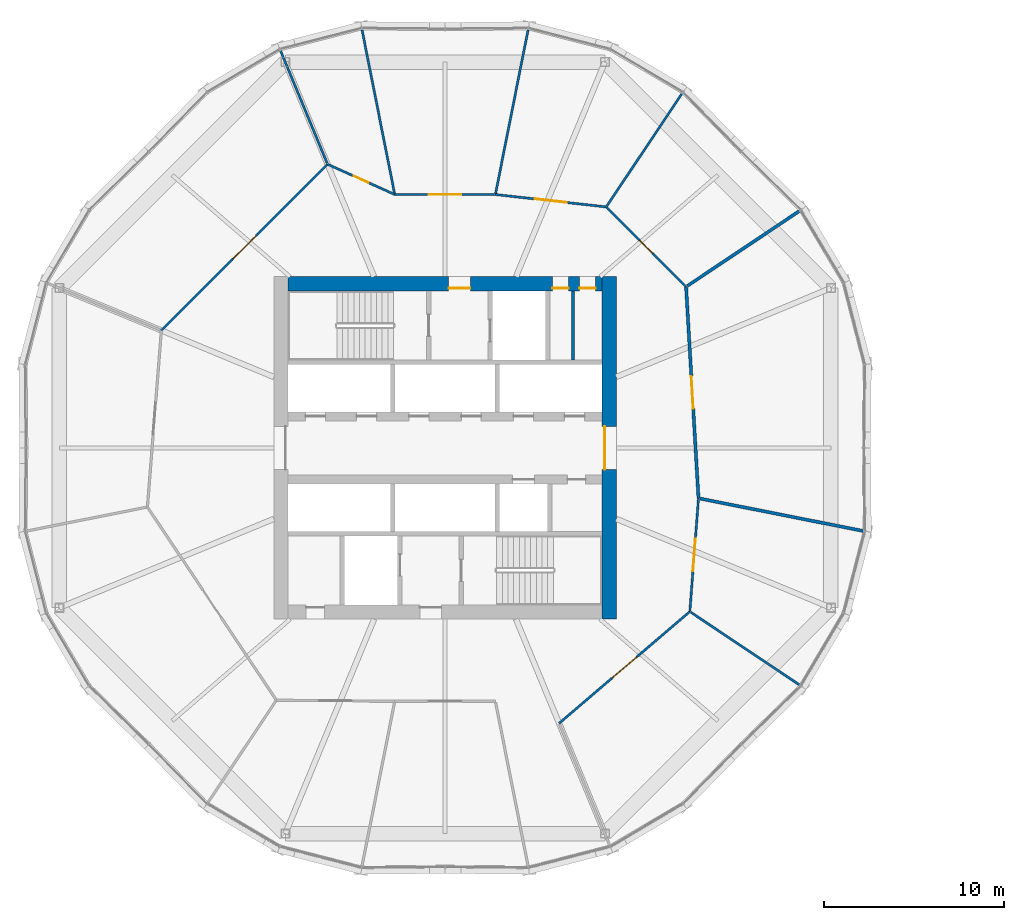
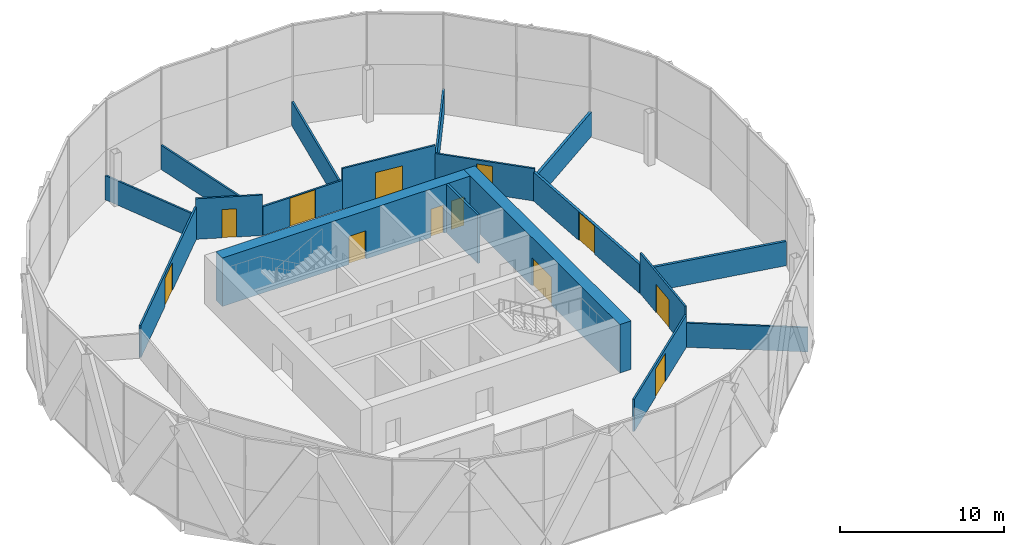
# One storey, part 23 of 31: 18 walls, 12 doors, 12 openings.
"""IFC4 building model written with IfcOpenShell, lengths in metres."""

from ifc_helpers import new_model, si_unit, direction, frame, frame_2d, origin, place, context, subcontext, project, spatial, rectangle, extrude, material, layer, layer_set, type_object, element, fill, save


model = new_model("IFC4")

# Units and contexts
model_context = context("Model", 3, precision=1e-05, world=origin(), true_north=direction((0.0, 1.0)))
body_context = subcontext(model_context, "Body", "Model", "MODEL_VIEW")
ifc_project = project(units=[si_unit("LENGTHUNIT", "METRE"), si_unit("AREAUNIT", "SQUARE_METRE"), si_unit("VOLUMEUNIT", "CUBIC_METRE"), si_unit("PLANEANGLEUNIT", "RADIAN"), si_unit("MASSUNIT", "GRAM", prefix="KILO")], contexts=[model_context])

# Site, building, storey
site_placement = place(None, origin())
site = spatial("IfcSite", under=ifc_project, at=site_placement, CompositionType="ELEMENT")
building_placement = place(site_placement, origin())
building = spatial("IfcBuilding", under=site, at=building_placement, Name="Ogive Gate Towers", CompositionType="ELEMENT")
storey_placement = place(building_placement, frame((0.0, 0.0, 107.39990234375)))
storey = spatial("IfcBuildingStorey", under=building, at=storey_placement, Name="L25", CompositionType="ELEMENT", Elevation=107.39990234375)

# Walls
ifc_material_1 = material(Name="Gypsum board acoustic partition")
ifc_layer_1 = layer(ifc_material_1, 0.175048828125)
ifc_layer_set_1 = layer_set([ifc_layer_1], Name="Acoustic partition 175")
wall_type_1 = type_object("IfcWallType", Name="Acoustic partition 175", PredefinedType="PARTITIONING", material=ifc_layer_set_1)
wall_1_placement = place(storey_placement, frame((-16.238037109375, 13.213623046875, 0.0), z_axis=(0.0, 0.0, 1.0), x_axis=(-0.831293820735, -0.55583323363, 0.0)))
element("IfcWall", 1, at=wall_1_placement, inside=storey, type_object=wall_type_1, Name="Partition T1-L25-001", PredefinedType="PARTITIONING", context=body_context, shape_type="SweptSolid", body=[
    extrude(rectangle(XDim=7.6044921875, YDim=0.175048828125, at=frame_2d((3.80224609375, 0.0))), origin(), (0.0, 0.0, 1.0), 1.800048828125),
])
wall_2_placement = place(storey_placement, frame((-12.813232421875, -4.6044921875, 0.0), z_axis=(0.0, 0.0, 1.0), x_axis=(-0.980847566731, 0.194776925838, 0.0)))
element("IfcWall", 2, at=wall_2_placement, inside=storey, type_object=wall_type_1, Name="Partition T1-L25-013", PredefinedType="PARTITIONING", context=body_context, shape_type="SweptSolid", body=[
    extrude(rectangle(XDim=9.221435546875, YDim=0.175048828125, at=frame_2d((4.61083984375, 0.0))), origin(), (0.0, 0.0, 1.0), 1.800048828125),
])

# Wall, opening, door
wall_3_placement = place(storey_placement, frame((-21.94384765625, -2.791259765625, 0.0), z_axis=(0.0, 0.0, 1.0), x_axis=(-0.058595344334, 0.998281816734, 0.0)))
wall_3 = element("IfcWall", 3, at=wall_3_placement, inside=storey, type_object=wall_type_1, Name="Partition T1-L25-016", PredefinedType="PARTITIONING", context=body_context, shape_type="SweptSolid", body=[
    extrude(rectangle(XDim=11.749755859375, YDim=0.175048828125, at=frame_2d((5.875, 0.0))), origin(), (0.0, 0.0, 1.0), 2.14013671875),
])
opening_1_placement = place(wall_3_placement, frame((4.97509765625, 0.0, 0.0)))
opening_1 = element("IfcOpeningElement", 4, at=opening_1_placement, cuts=wall_3, Name="Opening T1-L25-D03", PredefinedType="OPENING", context=body_context, shape_type="SweptSolid", body=[
    extrude(rectangle(XDim=1.800048828125, YDim=2.10009765625, at=frame_2d((0.89990234375, 1.050048828125))), frame((0.0, 0.09765625, 0.0), z_axis=(0.0, -1.0, 0.0), x_axis=(1.0, 0.0, 0.0)), (0.0, 0.0, 1.0), 0.195068359375),
])
ifc_material_2 = material(Name="Timber door", Category="wood")
door_type_1 = type_object("IfcDoorType", Name="Door pair 1800", OperationType="NOTDEFINED", PredefinedType="DOOR", material=ifc_material_2)
door_1_placement = place(opening_1_placement, origin())
door_1 = element("IfcDoor", 5, at=door_1_placement, inside=storey, type_object=door_type_1, Name="Door T1-L25-D03", OperationType="DOUBLE_DOOR_DOUBLE_SWING", OverallHeight=2.10009765625, OverallWidth=1.800048828125, PredefinedType="DOOR", context=body_context, shape_type="SweptSolid", body=[
    extrude(rectangle(XDim=1.800048828125, YDim=2.10009765625, at=frame_2d((0.89990234375, 1.050048828125))), frame((0.0, 0.02490234375, 0.0), z_axis=(0.0, -1.0, 0.0), x_axis=(1.0, 0.0, 0.0)), (0.0, 0.0, 1.0), 0.050048828125),
])
fill(opening_1, door_1)

# Wall, openings, doors
ifc_material_3 = material(Name="Concrete C60/75", Category="concrete")
ifc_layer_2 = layer(ifc_material_3, 0.800048828125)
ifc_layer_set_2 = layer_set([ifc_layer_2], Name="Core wall 800 mm")
wall_type_2 = type_object("IfcWallType", Name="Core wall 800 mm", PredefinedType="SHEAR", material=ifc_layer_set_2)
wall_4_placement = place(storey_placement, frame((-44.699951171875, 9.10009765625, 0.0), z_axis=(0.0, 0.0, 1.0), x_axis=(1.0, 0.0, 0.0)))
wall_4 = element("IfcWall", 6, at=wall_4_placement, inside=storey, type_object=wall_type_2, Name="T1 L25 Core wall 800 mm", PredefinedType="SHEAR", context=body_context, shape_type="SweptSolid", body=[
    extrude(rectangle(XDim=17.39990234375, YDim=0.800048828125, at=frame_2d((8.699951171875, 0.0))), origin(), (0.0, 0.0, 1.0), 3.60009765625),
])
opening_2_placement = place(wall_4_placement, frame((8.89990234375, 0.0, 0.0)))
opening_2 = element("IfcOpeningElement", 7, at=opening_2_placement, cuts=wall_4, Name="Opening KD-T1-L25-15", PredefinedType="OPENING", context=body_context, shape_type="SweptSolid", body=[
    extrude(rectangle(XDim=1.199951171875, YDim=2.10009765625, at=frame_2d((0.60009765625, 1.050048828125))), frame((0.0, 0.41015625, 0.0), z_axis=(0.0, -1.0, 0.0), x_axis=(1.0, 0.0, 0.0)), (0.0, 0.0, 1.0), 0.820068359375),
])
opening_3_placement = place(wall_4_placement, frame((14.64990234375, 0.0, 0.0)))
opening_3 = element("IfcOpeningElement", 8, at=opening_3_placement, cuts=wall_4, Name="Opening KD-T1-L25-17", PredefinedType="OPENING", context=body_context, shape_type="SweptSolid", body=[
    extrude(rectangle(XDim=0.89990234375, YDim=2.10009765625, at=frame_2d((0.449951171875, 1.050048828125))), frame((0.0, 0.41015625, 0.0), z_axis=(0.0, -1.0, 0.0), x_axis=(1.0, 0.0, 0.0)), (0.0, 0.0, 1.0), 0.820068359375),
])
opening_4_placement = place(wall_4_placement, frame((16.14990234375, 0.0, 0.0)))
opening_4 = element("IfcOpeningElement", 9, at=opening_4_placement, cuts=wall_4, Name="Opening KD-T1-L25-18", PredefinedType="OPENING", context=body_context, shape_type="SweptSolid", body=[
    extrude(rectangle(XDim=0.89990234375, YDim=2.10009765625, at=frame_2d((0.449951171875, 1.050048828125))), frame((0.0, 0.41015625, 0.0), z_axis=(0.0, -1.0, 0.0), x_axis=(1.0, 0.0, 0.0)), (0.0, 0.0, 1.0), 0.820068359375),
])
door_type_2 = type_object("IfcDoorType", Name="Core WC door 900 x 2100", OperationType="NOTDEFINED", PredefinedType="DOOR", material=ifc_material_2)
door_2_placement = place(opening_3_placement, origin())
door_2 = element("IfcDoor", 10, at=door_2_placement, inside=storey, type_object=door_type_2, Name="T1 L25 Core door", OperationType="SINGLE_SWING_RIGHT", OverallHeight=2.10009765625, OverallWidth=0.89990234375, PredefinedType="DOOR", context=body_context, shape_type="SweptSolid", body=[
    extrude(rectangle(XDim=0.89990234375, YDim=2.10009765625, at=frame_2d((0.449951171875, 1.050048828125))), frame((0.0, -0.22509765625, 0.0), z_axis=(0.0, -1.0, 0.0), x_axis=(1.0, 0.0, 0.0)), (0.0, 0.0, 1.0), 0.050048828125),
])
fill(opening_3, door_2)
door_3_placement = place(opening_4_placement, origin())
door_3 = element("IfcDoor", 11, at=door_3_placement, inside=storey, type_object=door_type_2, Name="T1 L25 Core door", OperationType="SINGLE_SWING_LEFT", OverallHeight=2.10009765625, OverallWidth=0.89990234375, PredefinedType="DOOR", context=body_context, shape_type="SweptSolid", body=[
    extrude(rectangle(XDim=0.89990234375, YDim=2.10009765625, at=frame_2d((0.449951171875, 1.050048828125))), frame((0.0, -0.22509765625, 0.0), z_axis=(0.0, -1.0, 0.0), x_axis=(1.0, 0.0, 0.0)), (0.0, 0.0, 1.0), 0.050048828125),
])
fill(opening_4, door_3)
ifc_material_4 = material(Name="Steel fire door", Category="steel")
door_type_3 = type_object("IfcDoorType", Name="Core door FD60S 1200 x 2100", OperationType="NOTDEFINED", PredefinedType="DOOR", material=ifc_material_4)
door_4_placement = place(opening_2_placement, origin())
door_4 = element("IfcDoor", 12, at=door_4_placement, inside=storey, type_object=door_type_3, Name="T1 L25 Fire-fighting lobby door", OperationType="SINGLE_SWING_RIGHT", OverallHeight=2.10009765625, OverallWidth=1.199951171875, PredefinedType="DOOR", context=body_context, shape_type="SweptSolid", body=[
    extrude(rectangle(XDim=1.199951171875, YDim=2.10009765625, at=frame_2d((0.60009765625, 1.050048828125))), frame((0.0, -0.22509765625, 0.0), z_axis=(0.0, -1.0, 0.0), x_axis=(1.0, 0.0, 0.0)), (0.0, 0.0, 1.0), 0.050048828125),
])
fill(opening_2, door_4)

# Wall, opening, door
wall_5_placement = place(storey_placement, frame((-26.89990234375, -9.5, 0.0), z_axis=(0.0, 0.0, 1.0), x_axis=(0.0, 1.0, 0.0)))
wall_5 = element("IfcWall", 13, at=wall_5_placement, inside=storey, type_object=wall_type_2, Name="T1 L25 Core wall 800 mm", PredefinedType="SHEAR", context=body_context, shape_type="SweptSolid", body=[
    extrude(rectangle(XDim=19.0, YDim=0.800048828125, at=frame_2d((9.5, 0.0))), origin(), (0.0, 0.0, 1.0), 3.60009765625),
])
opening_5_placement = place(wall_5_placement, frame((8.300048828125, 0.0, 0.0)))
opening_5 = element("IfcOpeningElement", 14, at=opening_5_placement, cuts=wall_5, Name="Opening KD-T1-L25-02", PredefinedType="OPENING", context=body_context, shape_type="SweptSolid", body=[
    extrude(rectangle(XDim=2.39990234375, YDim=2.10009765625, at=frame_2d((1.199951171875, 1.050048828125))), frame((0.0, 0.41015625, 0.0), z_axis=(0.0, -1.0, 0.0), x_axis=(1.0, 0.0, 0.0)), (0.0, 0.0, 1.0), 0.820068359375),
])
door_type_4 = type_object("IfcDoorType", Name="Core double door FD60S 2400 x 2100", OperationType="DOUBLE_DOOR_SINGLE_SWING", PredefinedType="DOOR", material=ifc_material_4)
door_5_placement = place(opening_5_placement, origin())
door_5 = element("IfcDoor", 15, at=door_5_placement, inside=storey, type_object=door_type_4, Name="T1 L25 Core door double", OperationType="DOUBLE_DOOR_SINGLE_SWING", OverallHeight=2.10009765625, OverallWidth=2.39990234375, PredefinedType="DOOR", context=body_context, shape_type="SweptSolid", body=[
    extrude(rectangle(XDim=2.39990234375, YDim=2.10009765625, at=frame_2d((1.199951171875, 1.050048828125))), frame((0.0, 0.27490234375, 0.0), z_axis=(0.0, -1.0, 0.0), x_axis=(1.0, 0.0, 0.0)), (0.0, 0.0, 1.0), 0.050048828125),
])
fill(opening_5, door_5)

# Walls
ifc_material_5 = material(Name="Gypsum board partition")
ifc_layer_3 = layer(ifc_material_5, 0.125)
ifc_layer_set_3 = layer_set([ifc_layer_3], Name="Partition 125")
wall_type_3 = type_object("IfcWallType", Name="Partition 125", PredefinedType="PARTITIONING", material=ifc_layer_set_3)
wall_6_placement = place(storey_placement, frame((-22.786376953125, 19.761962890625, 0.0), z_axis=(0.0, 0.0, 1.0), x_axis=(-0.555836902547, -0.831291367552, 0.0)))
element("IfcWall", 16, at=wall_6_placement, inside=storey, type_object=wall_type_3, Name="Partition T1-L25-002", PredefinedType="PARTITIONING", context=body_context, shape_type="SweptSolid", body=[
    extrude(rectangle(XDim=7.62939453125, YDim=0.125, at=frame_2d((3.814697265625, 0.0))), origin(), (0.0, 0.0, 1.0), 1.800048828125),
])
for number, where, z_axis, x_axis, name in (
    (17, (-31.3955078125, 23.186767578125, 0.0), (0.0, 0.0, 1.0), (-0.194780532368, -0.980846850538, 0.0), "Partition T1-L25-003"),
    (18, (-40.6044921875, 23.186767578125, 0.0), (0.0, 0.0, 1.0), (0.194780532368, -0.980846850538, 0.0), "Partition T1-L25-004"),
):
    element("IfcWall", number, at=place(storey_placement, frame(where, z_axis=z_axis, x_axis=x_axis)), inside=storey, type_object=wall_type_3, Name=name, PredefinedType="PARTITIONING", context=body_context, shape_type="SweptSolid", body=[
        extrude(rectangle(XDim=9.246337890625, YDim=0.125, at=frame_2d((4.623046875, 0.0))), origin(), (0.0, 0.0, 1.0), 1.800048828125),
    ])
wall_7_placement = place(storey_placement, frame((-45.155517578125, 22.103515625, 0.0), z_axis=(0.0, 0.0, 1.0), x_axis=(0.382657966464, -0.923890080422, 0.0)))
element("IfcWall", 19, at=wall_7_placement, inside=storey, type_object=wall_type_3, Name="Partition T1-L25-005", PredefinedType="PARTITIONING", context=body_context, shape_type="SweptSolid", body=[
    extrude(rectangle(XDim=6.831298828125, YDim=0.125, at=frame_2d((3.41552734375, 0.0))), origin(), (0.0, 0.0, 1.0), 1.800048828125),
])
wall_8_placement = place(storey_placement, frame((-16.238037109375, -13.213623046875, 0.0), z_axis=(0.0, 0.0, 1.0), x_axis=(-0.831291139234, 0.555837244012, 0.0)))
element("IfcWall", 20, at=wall_8_placement, inside=storey, type_object=wall_type_3, Name="Partition T1-L25-012", PredefinedType="PARTITIONING", context=body_context, shape_type="SweptSolid", body=[
    extrude(rectangle(XDim=7.37939453125, YDim=0.125, at=frame_2d((3.689697265625, 0.0))), origin(), (0.0, 0.0, 1.0), 1.800048828125),
])

# Wall, opening, door
wall_9_placement = place(storey_placement, frame((-29.673828125, -15.272705078125, 0.0), z_axis=(0.0, 0.0, 1.0), x_axis=(0.760193742691, 0.649696447253, 0.0)))
wall_9 = element("IfcWall", 21, at=wall_9_placement, inside=storey, type_object=wall_type_3, Name="Partition T1-L25-014", PredefinedType="PARTITIONING", context=body_context, shape_type="SweptSolid", body=[
    extrude(rectangle(XDim=9.5361328125, YDim=0.125, at=frame_2d((4.76806640625, 0.0))), origin(), (0.0, 0.0, 1.0), 2.400146484375),
])
opening_6_placement = place(wall_9_placement, frame((3.867919921875, 0.0, 0.0)))
opening_6 = element("IfcOpeningElement", 22, at=opening_6_placement, cuts=wall_9, Name="Opening T1-L25-D01", PredefinedType="OPENING", context=body_context, shape_type="SweptSolid", body=[
    extrude(rectangle(XDim=1.800048828125, YDim=2.10009765625, at=frame_2d((0.89990234375, 1.050048828125))), frame((0.0, 0.072509765625, 0.0), z_axis=(0.0, -1.0, 0.0), x_axis=(1.0, 0.0, 0.0)), (0.0, 0.0, 1.0), 0.14501953125),
])
door_6_placement = place(opening_6_placement, origin())
door_6 = element("IfcDoor", 23, at=door_6_placement, inside=storey, type_object=door_type_1, Name="Door T1-L25-D01", OperationType="DOUBLE_DOOR_DOUBLE_SWING", OverallHeight=2.10009765625, OverallWidth=1.800048828125, PredefinedType="DOOR", context=body_context, shape_type="SweptSolid", body=[
    extrude(rectangle(XDim=1.800048828125, YDim=2.10009765625, at=frame_2d((0.89990234375, 1.050048828125))), frame((0.0, 0.02490234375, 0.0), z_axis=(0.0, -1.0, 0.0), x_axis=(1.0, 0.0, 0.0)), (0.0, 0.0, 1.0), 0.050048828125),
])
fill(opening_6, door_6)

wall_10_placement = place(storey_placement, frame((-22.424560546875, -9.0771484375, 0.0), z_axis=(0.0, 0.0, 1.0), x_axis=(0.076252276713, 0.997088556898, 0.0)))
wall_10 = element("IfcWall", 24, at=wall_10_placement, inside=storey, type_object=wall_type_3, Name="Partition T1-L25-015", PredefinedType="PARTITIONING", context=body_context, shape_type="SweptSolid", body=[
    extrude(rectangle(XDim=6.30419921875, YDim=0.125, at=frame_2d((3.152099609375, 0.0))), origin(), (0.0, 0.0, 1.0), 3.010009765625),
])
opening_7_placement = place(wall_10_placement, frame((2.251953125, 0.0, 0.0)))
opening_7 = element("IfcOpeningElement", 25, at=opening_7_placement, cuts=wall_10, Name="Opening T1-L25-D02", PredefinedType="OPENING", context=body_context, shape_type="SweptSolid", body=[
    extrude(rectangle(XDim=1.800048828125, YDim=2.10009765625, at=frame_2d((0.89990234375, 1.050048828125))), frame((0.0, 0.072509765625, 0.0), z_axis=(0.0, -1.0, 0.0), x_axis=(1.0, 0.0, 0.0)), (0.0, 0.0, 1.0), 0.14501953125),
])
door_7_placement = place(opening_7_placement, origin())
door_7 = element("IfcDoor", 26, at=door_7_placement, inside=storey, type_object=door_type_1, Name="Door T1-L25-D02", OperationType="DOUBLE_DOOR_DOUBLE_SWING", OverallHeight=2.10009765625, OverallWidth=1.800048828125, PredefinedType="DOOR", context=body_context, shape_type="SweptSolid", body=[
    extrude(rectangle(XDim=1.800048828125, YDim=2.10009765625, at=frame_2d((0.89990234375, 1.050048828125))), frame((0.0, 0.02490234375, 0.0), z_axis=(0.0, -1.0, 0.0), x_axis=(1.0, 0.0, 0.0)), (0.0, 0.0, 1.0), 0.050048828125),
])
fill(opening_7, door_7)

wall_11_placement = place(storey_placement, frame((-22.63232421875, 8.938232421875, 0.0), z_axis=(0.0, 0.0, 1.0), x_axis=(-0.707106781187, 0.707106781187, 0.0)))
wall_11 = element("IfcWall", 27, at=wall_11_placement, inside=storey, type_object=wall_type_3, Name="Partition T1-L25-017", PredefinedType="PARTITIONING", context=body_context, shape_type="SweptSolid", body=[
    extrude(rectangle(XDim=6.26416015625, YDim=0.125, at=frame_2d((3.132080078125, 0.0))), origin(), (0.0, 0.0, 1.0), 2.400146484375),
])
opening_8_placement = place(wall_11_placement, frame((2.632080078125, 0.0, 0.0)))
opening_8 = element("IfcOpeningElement", 28, at=opening_8_placement, cuts=wall_11, Name="Opening T1-L25-D04", PredefinedType="OPENING", context=body_context, shape_type="SweptSolid", body=[
    extrude(rectangle(XDim=1.0, YDim=2.10009765625, at=frame_2d((0.5, 1.050048828125))), frame((0.0, 0.072509765625, 0.0), z_axis=(0.0, -1.0, 0.0), x_axis=(1.0, 0.0, 0.0)), (0.0, 0.0, 1.0), 0.14501953125),
])
door_type_5 = type_object("IfcDoorType", Name="Door 1000", OperationType="NOTDEFINED", PredefinedType="DOOR", material=ifc_material_2)
door_8_placement = place(opening_8_placement, origin())
door_8 = element("IfcDoor", 29, at=door_8_placement, inside=storey, type_object=door_type_5, Name="Door T1-L25-D04", OperationType="SINGLE_SWING_RIGHT", OverallHeight=2.10009765625, OverallWidth=1.0, PredefinedType="DOOR", context=body_context, shape_type="SweptSolid", body=[
    extrude(rectangle(XDim=1.0, YDim=2.10009765625, at=frame_2d((0.5, 1.050048828125))), frame((0.0, 0.02490234375, 0.0), z_axis=(0.0, -1.0, 0.0), x_axis=(1.0, 0.0, 0.0)), (0.0, 0.0, 1.0), 0.050048828125),
])
fill(opening_8, door_8)

wall_12_placement = place(storey_placement, frame((-27.061767578125, 13.36767578125, 0.0), z_axis=(0.0, 0.0, 1.0), x_axis=(-0.993786117429, 0.111306571259, 0.0)))
wall_12 = element("IfcWall", 30, at=wall_12_placement, inside=storey, type_object=wall_type_3, Name="Partition T1-L25-018", PredefinedType="PARTITIONING", context=body_context, shape_type="SweptSolid", body=[
    extrude(rectangle(XDim=6.185302734375, YDim=0.125, at=frame_2d((3.0927734375, 0.0))), origin(), (0.0, 0.0, 1.0), 3.010009765625),
])
opening_9_placement = place(wall_12_placement, frame((2.193115234375, 0.0, 0.0)))
opening_9 = element("IfcOpeningElement", 31, at=opening_9_placement, cuts=wall_12, Name="Opening T1-L25-D05", PredefinedType="OPENING", context=body_context, shape_type="SweptSolid", body=[
    extrude(rectangle(XDim=1.800048828125, YDim=2.10009765625, at=frame_2d((0.89990234375, 1.050048828125))), frame((0.0, 0.072509765625, 0.0), z_axis=(0.0, -1.0, 0.0), x_axis=(1.0, 0.0, 0.0)), (0.0, 0.0, 1.0), 0.14501953125),
])
door_9_placement = place(opening_9_placement, origin())
door_9 = element("IfcDoor", 32, at=door_9_placement, inside=storey, type_object=door_type_1, Name="Door T1-L25-D05", OperationType="DOUBLE_DOOR_DOUBLE_SWING", OverallHeight=2.10009765625, OverallWidth=1.800048828125, PredefinedType="DOOR", context=body_context, shape_type="SweptSolid", body=[
    extrude(rectangle(XDim=1.800048828125, YDim=2.10009765625, at=frame_2d((0.89990234375, 1.050048828125))), frame((0.0, 0.02490234375, 0.0), z_axis=(0.0, -1.0, 0.0), x_axis=(1.0, 0.0, 0.0)), (0.0, 0.0, 1.0), 0.050048828125),
])
fill(opening_9, door_9)

wall_13_placement = place(storey_placement, frame((-33.208740234375, 14.05615234375, 0.0), z_axis=(0.0, 0.0, 1.0), x_axis=(-1.0, 0.0, 0.0)))
wall_13 = element("IfcWall", 33, at=wall_13_placement, inside=storey, type_object=wall_type_3, Name="Partition T1-L25-019", PredefinedType="PARTITIONING", context=body_context, shape_type="SweptSolid", body=[
    extrude(rectangle(XDim=5.58251953125, YDim=0.125, at=frame_2d((2.791259765625, 0.0))), origin(), (0.0, 0.0, 1.0), 2.14013671875),
])
opening_10_placement = place(wall_13_placement, frame((1.89111328125, 0.0, 0.0)))
opening_10 = element("IfcOpeningElement", 34, at=opening_10_placement, cuts=wall_13, Name="Opening T1-L25-D06", PredefinedType="OPENING", context=body_context, shape_type="SweptSolid", body=[
    extrude(rectangle(XDim=1.800048828125, YDim=2.10009765625, at=frame_2d((0.89990234375, 1.050048828125))), frame((0.0, 0.072509765625, 0.0), z_axis=(0.0, -1.0, 0.0), x_axis=(1.0, 0.0, 0.0)), (0.0, 0.0, 1.0), 0.14501953125),
])
door_10_placement = place(opening_10_placement, origin())
door_10 = element("IfcDoor", 35, at=door_10_placement, inside=storey, type_object=door_type_1, Name="Door T1-L25-D06", OperationType="DOUBLE_DOOR_DOUBLE_SWING", OverallHeight=2.10009765625, OverallWidth=1.800048828125, PredefinedType="DOOR", context=body_context, shape_type="SweptSolid", body=[
    extrude(rectangle(XDim=1.800048828125, YDim=2.10009765625, at=frame_2d((0.89990234375, 1.050048828125))), frame((0.0, 0.02490234375, 0.0), z_axis=(0.0, -1.0, 0.0), x_axis=(1.0, 0.0, 0.0)), (0.0, 0.0, 1.0), 0.050048828125),
])
fill(opening_10, door_10)

wall_14_placement = place(storey_placement, frame((-38.791259765625, 14.05615234375, 0.0), z_axis=(0.0, 0.0, 1.0), x_axis=(-0.911772784766, 0.410695007225, 0.0)))
wall_14 = element("IfcWall", 36, at=wall_14_placement, inside=storey, type_object=wall_type_3, Name="Partition T1-L25-020", PredefinedType="PARTITIONING", context=body_context, shape_type="SweptSolid", body=[
    extrude(rectangle(XDim=4.0869140625, YDim=0.125, at=frame_2d((2.04345703125, 0.0))), origin(), (0.0, 0.0, 1.0), 3.010009765625),
])
opening_11_placement = place(wall_14_placement, frame((1.593017578125, 0.0, 0.0)))
opening_11 = element("IfcOpeningElement", 37, at=opening_11_placement, cuts=wall_14, Name="Opening T1-L25-D07", PredefinedType="OPENING", context=body_context, shape_type="SweptSolid", body=[
    extrude(rectangle(XDim=0.89990234375, YDim=2.10009765625, at=frame_2d((0.449951171875, 1.050048828125))), frame((0.0, 0.072509765625, 0.0), z_axis=(0.0, -1.0, 0.0), x_axis=(1.0, 0.0, 0.0)), (0.0, 0.0, 1.0), 0.14501953125),
])
door_type_6 = type_object("IfcDoorType", Name="Door 900", OperationType="NOTDEFINED", PredefinedType="DOOR", material=ifc_material_2)
door_11_placement = place(opening_11_placement, origin())
door_11 = element("IfcDoor", 38, at=door_11_placement, inside=storey, type_object=door_type_6, Name="Door T1-L25-D07", OperationType="SINGLE_SWING_RIGHT", OverallHeight=2.10009765625, OverallWidth=0.89990234375, PredefinedType="DOOR", context=body_context, shape_type="SweptSolid", body=[
    extrude(rectangle(XDim=0.89990234375, YDim=2.10009765625, at=frame_2d((0.449951171875, 1.050048828125))), frame((0.0, 0.02490234375, 0.0), z_axis=(0.0, -1.0, 0.0), x_axis=(1.0, 0.0, 0.0)), (0.0, 0.0, 1.0), 0.050048828125),
])
fill(opening_11, door_11)

wall_15_placement = place(storey_placement, frame((-42.517578125, 15.734619140625, 0.0), z_axis=(0.0, 0.0, 1.0), x_axis=(-0.707106781187, -0.707106781187, 0.0)))
wall_15 = element("IfcWall", 39, at=wall_15_placement, inside=storey, type_object=wall_type_3, Name="Partition T1-L25-021", PredefinedType="PARTITIONING", context=body_context, shape_type="SweptSolid", body=[
    extrude(rectangle(XDim=13.034912109375, YDim=0.125, at=frame_2d((6.517578125, 0.0))), origin(), (0.0, 0.0, 1.0), 2.400146484375),
])
opening_12_placement = place(wall_15_placement, frame((5.616943359375, 0.0, 0.0)))
opening_12 = element("IfcOpeningElement", 40, at=opening_12_placement, cuts=wall_15, Name="Opening T1-L25-D08", PredefinedType="OPENING", context=body_context, shape_type="SweptSolid", body=[
    extrude(rectangle(XDim=1.800048828125, YDim=2.10009765625, at=frame_2d((0.89990234375, 1.050048828125))), frame((0.0, 0.072509765625, 0.0), z_axis=(0.0, -1.0, 0.0), x_axis=(1.0, 0.0, 0.0)), (0.0, 0.0, 1.0), 0.14501953125),
])
door_12_placement = place(opening_12_placement, origin())
door_12 = element("IfcDoor", 41, at=door_12_placement, inside=storey, type_object=door_type_1, Name="Door T1-L25-D08", OperationType="DOUBLE_DOOR_DOUBLE_SWING", OverallHeight=2.10009765625, OverallWidth=1.800048828125, PredefinedType="DOOR", context=body_context, shape_type="SweptSolid", body=[
    extrude(rectangle(XDim=1.800048828125, YDim=2.10009765625, at=frame_2d((0.89990234375, 1.050048828125))), frame((0.0, 0.02490234375, 0.0), z_axis=(0.0, -1.0, 0.0), x_axis=(1.0, 0.0, 0.0)), (0.0, 0.0, 1.0), 0.050048828125),
])
fill(opening_12, door_12)

# Wall
ifc_layer_4 = layer(ifc_material_5, 0.14990234375)
ifc_layer_set_4 = layer_set([ifc_layer_4], Name="Room partition 150 mm")
wall_type_4 = type_object("IfcWallType", Name="Room partition 150 mm", PredefinedType="PARTITIONING", material=ifc_layer_set_4)
wall_16_placement = place(storey_placement, frame((-28.89990234375, 4.875, 0.0), z_axis=(0.0, 0.0, 1.0), x_axis=(0.0, 1.0, 0.0)))
element("IfcWall", 42, at=wall_16_placement, inside=storey, type_object=wall_type_4, Name="T1 L25 Room partition 150 mm", PredefinedType="PARTITIONING", context=body_context, shape_type="SweptSolid", body=[
    extrude(rectangle(XDim=3.824951171875, YDim=0.14990234375, at=frame_2d((1.91259765625, 0.0))), origin(), (0.0, 0.0, 1.0), 3.60009765625),
])

save(model, "model.ifc")
